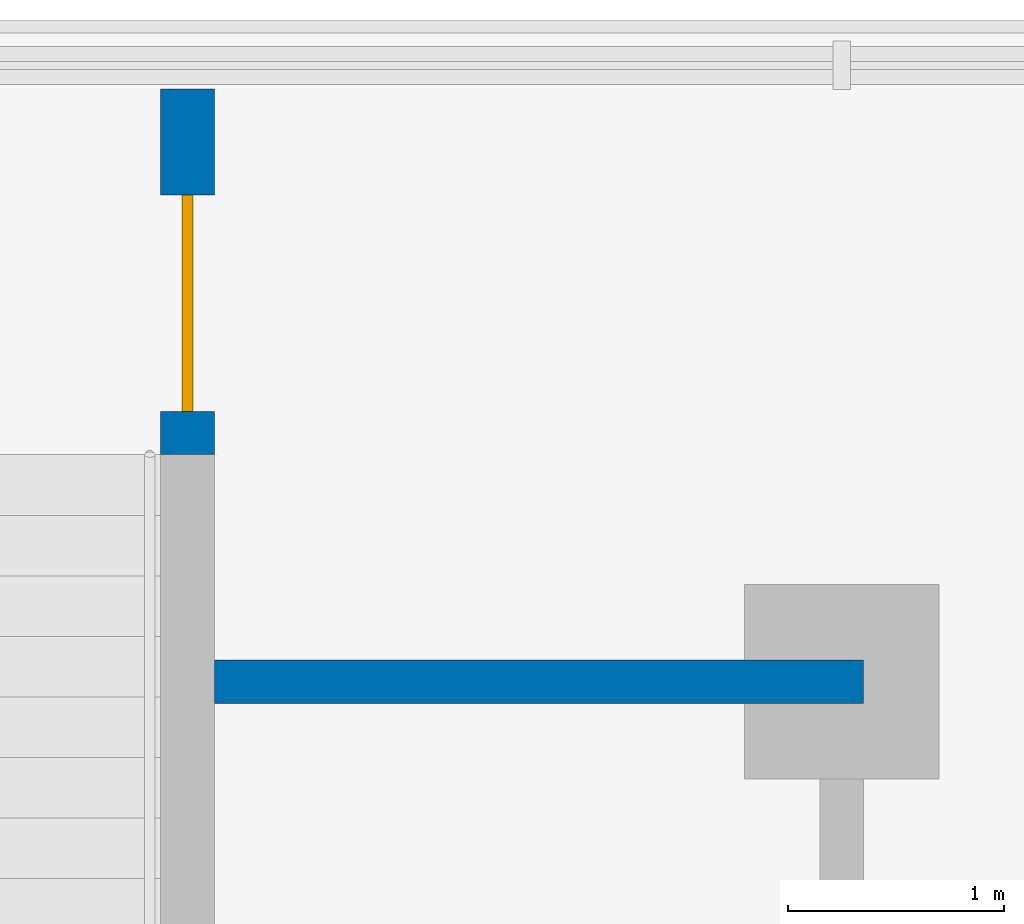
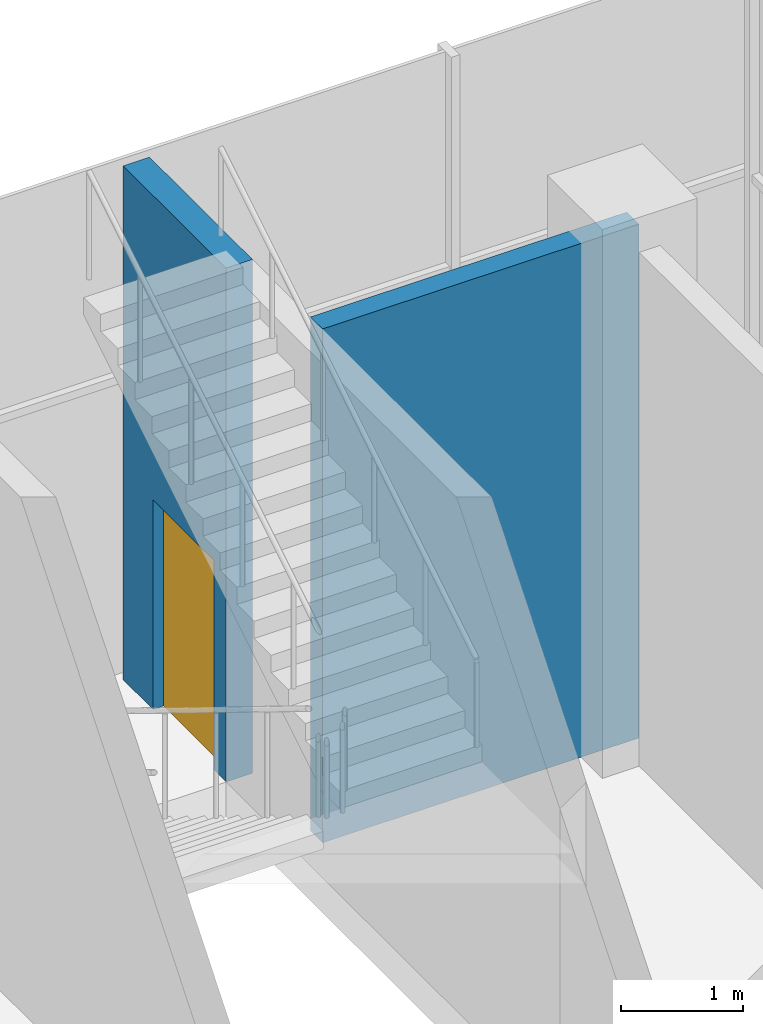
# One storey, part 19 of 22: 2 walls, 1 door, 1 opening.
"""IFC4 building model written with IfcOpenShell, lengths in metres."""

from ifc_helpers import new_model, si_unit, direction, frame, frame_2d, origin, place, context, subcontext, project, spatial, rectangle, extrude, material, layer, layer_set, type_object, element, fill, save


model = new_model("IFC4")

# Units and contexts
model_context = context("Model", 3, precision=1e-05, world=origin(), true_north=direction((0.0, 1.0)))
body_context = subcontext(model_context, "Body", "Model", "MODEL_VIEW")
ifc_project = project(units=[si_unit("LENGTHUNIT", "METRE"), si_unit("AREAUNIT", "SQUARE_METRE"), si_unit("VOLUMEUNIT", "CUBIC_METRE"), si_unit("PLANEANGLEUNIT", "RADIAN"), si_unit("MASSUNIT", "GRAM", prefix="KILO")], contexts=[model_context])

# Site, building, storey
site_placement = place(None, origin())
site = spatial("IfcSite", under=ifc_project, at=site_placement, CompositionType="ELEMENT")
building_placement = place(site_placement, origin())
building = spatial("IfcBuilding", under=site, at=building_placement, Name="Finial Court Residences", CompositionType="ELEMENT")
storey_placement = place(building_placement, frame((0.0, 0.0, 8.0)))
storey = spatial("IfcBuildingStorey", under=building, at=storey_placement, Name="L01", CompositionType="ELEMENT", Elevation=8.0)

# Wall
ifc_material_1 = material(Name="Gypsum board")
ifc_layer_1 = layer(ifc_material_1, 0.02490234375)
ifc_material_2 = material(Name="Acoustic mineral wool in double frame")
ifc_layer_2 = layer(ifc_material_2, 0.14990234375)
ifc_layer_3 = layer(ifc_material_1, 0.02490234375)
ifc_layer_set_1 = layer_set([ifc_layer_1, ifc_layer_2, ifc_layer_3], Name="Corridor wall 200, 1 hour")
wall_type_1 = type_object("IfcWallType", Name="Corridor wall 200, 1 hour", PredefinedType="PARTITIONING", material=ifc_layer_set_1)
wall_1_placement = place(storey_placement, frame((55.60009765625, 31.5, 0.0), z_axis=(0.0, 0.0, 1.0), x_axis=(1.0, 0.0, 0.0)))
element("IfcWall", 1, at=wall_1_placement, inside=storey, type_object=wall_type_1, Name="Partition L01-039", PredefinedType="PARTITIONING", context=body_context, shape_type="SweptSolid", body=[
    extrude(rectangle(XDim=3.0, YDim=0.199951171875, at=frame_2d((1.5, 0.0))), origin(), (0.0, 0.0, 1.0), 5.14990234375),
])

# Wall, opening, door
ifc_material_3 = material(Name="Concrete C50/60", Category="concrete")
ifc_layer_4 = layer(ifc_material_3, 0.25)
ifc_layer_set_2 = layer_set([ifc_layer_4], Name="Stair enclosure wall 250 Concrete C50/60")
wall_type_2 = type_object("IfcWallType", Name="Stair enclosure wall 250 Concrete C50/60", PredefinedType="SHEAR", material=ifc_layer_set_2)
wall_2_placement = place(storey_placement, frame((55.47509765625, 32.550048828125, 0.0), z_axis=(0.0, 0.0, 1.0), x_axis=(0.0, 1.0, 0.0)))
wall_2 = element("IfcWall", 2, at=wall_2_placement, inside=storey, type_object=wall_type_2, Name="Exit Stair 5 enclosure wall L01-E1", PredefinedType="SHEAR", context=body_context, shape_type="SweptSolid", body=[
    extrude(rectangle(XDim=1.68994140625, YDim=0.25, at=frame_2d((0.844970703125, 0.0))), origin(), (0.0, 0.0, 1.0), 5.14990234375),
])
opening_placement = place(wall_2_placement, frame((0.199951171875, 0.0, 0.0)))
opening = element("IfcOpeningElement", 3, at=opening_placement, cuts=wall_2, Name="Opening L01-S5E", PredefinedType="OPENING", context=body_context, shape_type="SweptSolid", body=[
    extrude(rectangle(XDim=1.0, YDim=2.10009765625, at=frame_2d((0.5, 1.050048828125))), frame((0.0, 0.135009765625, 0.0), z_axis=(0.0, -1.0, 0.0), x_axis=(1.0, 0.0, 0.0)), (0.0, 0.0, 1.0), 0.27001953125),
])
ifc_material_4 = material(Name="Steel fire door", Category="steel")
door_type = type_object("IfcDoorType", Name="Stair door 1000 x 2100 EI 90", OperationType="NOTDEFINED", PredefinedType="DOOR", material=ifc_material_4)
door_placement = place(opening_placement, origin())
door = element("IfcDoor", 4, at=door_placement, inside=storey, type_object=door_type, Name="Exit Stair 5 east door L01", OperationType="SINGLE_SWING_RIGHT", OverallHeight=2.10009765625, OverallWidth=1.0, PredefinedType="DOOR", context=body_context, shape_type="SweptSolid", body=[
    extrude(rectangle(XDim=1.0, YDim=2.10009765625, at=frame_2d((0.5, 1.050048828125))), frame((0.0, 0.02490234375, 0.0), z_axis=(0.0, -1.0, 0.0), x_axis=(1.0, 0.0, 0.0)), (0.0, 0.0, 1.0), 0.050048828125),
])
fill(opening, door)

save(model, "model.ifc")
